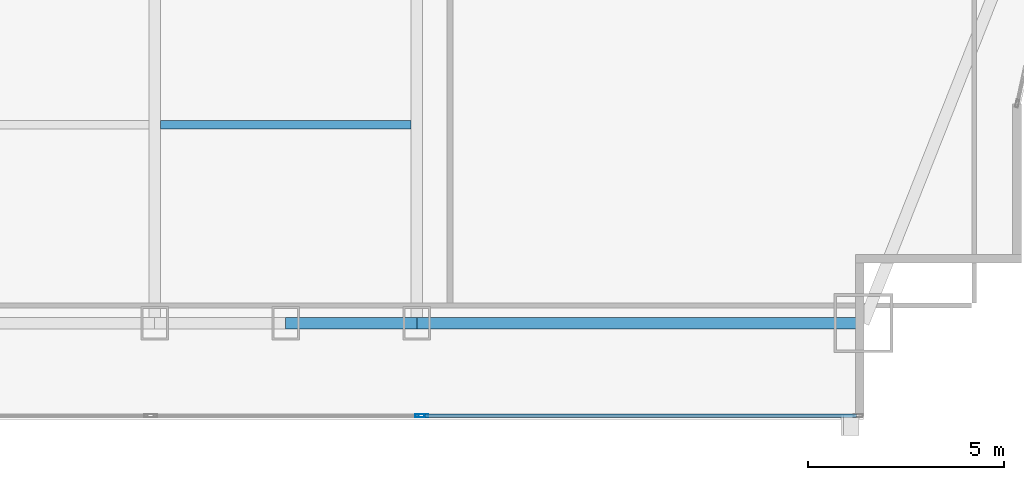
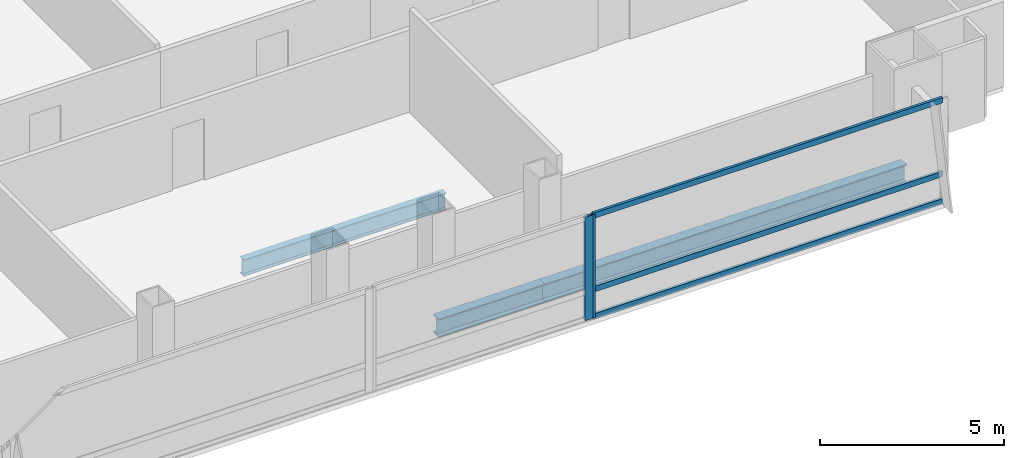
# One storey, part 15 of 32: 5 members, 3 beams, 2 elements without a shape of their own.
"""IFC4 building model written with IfcOpenShell, lengths in metres."""

from ifc_helpers import new_model, si_unit, direction, frame, origin, origin_2d, place, context, subcontext, project, spatial, hollow_rectangle, i_section, extrude, material, material_profile, profile_set, type_object, element, aggregate, save


model = new_model("IFC4")

# Units and contexts
model_context = context("Model", 3, precision=1e-05, world=origin(), true_north=direction((0.0, 1.0)))
body_context = subcontext(model_context, "Body", "Model", "MODEL_VIEW")
ifc_project = project(units=[si_unit("LENGTHUNIT", "METRE"), si_unit("AREAUNIT", "SQUARE_METRE"), si_unit("VOLUMEUNIT", "CUBIC_METRE"), si_unit("PLANEANGLEUNIT", "RADIAN"), si_unit("MASSUNIT", "GRAM", prefix="KILO")], contexts=[model_context])

# Site, building, storey
site_placement = place(None, origin())
site = spatial("IfcSite", under=ifc_project, at=site_placement, CompositionType="ELEMENT")
building_placement = place(site_placement, origin())
building = spatial("IfcBuilding", under=site, at=building_placement, Name="Khoronbel Lancet Exchange", CompositionType="ELEMENT")
storey_placement = place(building_placement, frame((0.0, 0.0, 111.0)))
storey = spatial("IfcBuildingStorey", under=building, at=storey_placement, Name="L26", CompositionType="ELEMENT", Elevation=111.0)

# Beams
ifc_material_1 = material(Name="Steel S355", Category="steel")
ifc_material_profile_1 = material_profile(ifc_material_1, i_section(OverallWidth=0.2099609375, OverallDepth=0.550048828125, WebThickness=0.010986328125, FlangeThickness=0.01708984375, at=origin_2d()), Name="IPE 550")
ifc_profile_set_1 = profile_set([ifc_material_profile_1], Name="Steel S355")
beam_type_1 = type_object("IfcBeamType", Name="BM-BJ2", PredefinedType="JOIST", material=ifc_profile_set_1)
beam_1_placement = place(storey_placement, frame((48.14990234375, 15.199951171875, -0.43505859375), z_axis=(1.0, 0.0, 0.0), x_axis=(0.0, 1.0, 0.0)))
element("IfcBeam", 1, at=beam_1_placement, inside=storey, type_object=beam_type_1, Name="Level L26 secondary composite joist J05", PredefinedType="JOIST", context=body_context, shape_type="SweptSolid", body=[
    extrude(i_section(OverallWidth=0.2099609375, OverallDepth=0.550048828125, WebThickness=0.010986328125, FlangeThickness=0.01708984375, at=origin_2d()), origin(), (0.0, 0.0, 1.0), 6.375),
])
ifc_material_profile_2 = material_profile(ifc_material_1, i_section(OverallWidth=0.300048828125, OverallDepth=0.60009765625, WebThickness=0.015380859375, FlangeThickness=0.030029296875, at=origin_2d()), Name="HEB 600")
ifc_profile_set_2 = profile_set([ifc_material_profile_2], Name="Steel S355")
beam_type_2 = type_object("IfcBeamType", Name="BM-BSP2", PredefinedType="SPANDREL", material=ifc_profile_set_2)
beam_2_placement = place(storey_placement, frame((51.33740234375, 10.14990234375, -0.4599609375), z_axis=(1.0, 0.0, 0.0), x_axis=(0.0, 1.0, 0.0)))
element("IfcBeam", 2, at=beam_2_placement, inside=storey, type_object=beam_type_2, Name="Level L26 perimeter spandrel beam SP08", PredefinedType="SPANDREL", context=body_context, shape_type="SweptSolid", body=[
    extrude(i_section(OverallWidth=0.300048828125, OverallDepth=0.60009765625, WebThickness=0.015380859375, FlangeThickness=0.030029296875, at=origin_2d()), origin(), (0.0, 0.0, 1.0), 3.337646484375),
])
beam_3_placement = place(storey_placement, frame((54.675048828125, 10.14990234375, -0.4599609375), z_axis=(1.0, 0.0, 0.0), x_axis=(0.0, 1.0, 0.0)))
element("IfcBeam", 3, at=beam_3_placement, inside=storey, type_object=beam_type_2, Name="Level L26 perimeter spandrel beam SP09", PredefinedType="SPANDREL", context=body_context, shape_type="SweptSolid", body=[
    extrude(i_section(OverallWidth=0.300048828125, OverallDepth=0.60009765625, WebThickness=0.015380859375, FlangeThickness=0.030029296875, at=origin_2d()), origin(), (0.0, 0.0, 1.0), 11.375),
])

# Curtain wall, member
ifc_material_2 = material(Name="Low-E Solar Control Insulating Glass", Category="glass")
curtain_wall_type = type_object("IfcCurtainWallType", Name="CW-2", PredefinedType="NOTDEFINED", material=ifc_material_2)
curtain_wall_1_placement = place(storey_placement, origin())
curtain_wall_1 = element("IfcCurtainWall", 4, at=curtain_wall_1_placement, inside=storey, type_object=curtain_wall_type, Name="Unitised curtain wall CW-L26-SEB", PredefinedType="NOTDEFINED")
ifc_material_3 = material(Name="Bronze-Anodised Aluminium 6063-T6", Category="aluminium")
ifc_material_profile_3 = material_profile(ifc_material_3, hollow_rectangle(XDim=0.0849609375, YDim=0.239990234375, WallThickness=0.006103515625, at=origin_2d()), Name="ALU MULLION 85x240")
ifc_profile_set_3 = profile_set([ifc_material_profile_3], Name="Bronze-Anodised Aluminium 6063-T6")
member_type_1 = type_object("IfcMemberType", Name="MEM-CWM1", PredefinedType="MULLION", material=ifc_profile_set_3)
member_1_placement = place(storey_placement, frame((54.757568359375, 7.7900390625, 0.0), z_axis=(0.0, 0.0, 1.0), x_axis=(0.0, 1.0, 0.0)))
member_1 = element("IfcMember", 5, at=member_1_placement, type_object=member_type_1, Name="CW2 mullion 2", PredefinedType="MULLION", context=body_context, shape_type="SweptSolid", body=[
    extrude(hollow_rectangle(XDim=0.0849609375, YDim=0.239990234375, WallThickness=0.006103515625, at=origin_2d()), origin(), (0.0, 0.0, 1.0), 3.43994140625),
])
aggregate(curtain_wall_1, [member_1])

# Curtain wall, members
curtain_wall_2_placement = place(storey_placement, origin())
curtain_wall_2 = element("IfcCurtainWall", 6, at=curtain_wall_2_placement, inside=storey, type_object=curtain_wall_type, Name="Unitised curtain wall CW-L26-SEV", PredefinedType="NOTDEFINED")
member_2_placement = place(storey_placement, frame((54.842529296875, 7.7900390625, 0.0), z_axis=(0.0, 0.0, 1.0), x_axis=(0.0, 1.0, 0.0)))
member_2 = element("IfcMember", 7, at=member_2_placement, type_object=member_type_1, Name="CW2 mullion 1", PredefinedType="MULLION", context=body_context, shape_type="SweptSolid", body=[
    extrude(hollow_rectangle(XDim=0.0849609375, YDim=0.239990234375, WallThickness=0.006103515625, at=origin_2d()), origin(), (0.0, 0.0, 1.0), 3.43994140625),
])
ifc_material_profile_4 = material_profile(ifc_material_3, hollow_rectangle(XDim=0.0849609375, YDim=0.179931640625, WallThickness=0.0048828125, at=origin_2d()), Name="ALU TRANSOM 85x180")
ifc_profile_set_4 = profile_set([ifc_material_profile_4], Name="Bronze-Anodised Aluminium 6063-T6")
member_type_2 = type_object("IfcMemberType", Name="MEM-CWT1", PredefinedType="USERDEFINED", material=ifc_profile_set_4)
member_3_placement = place(storey_placement, frame((54.885009765625, 7.7900390625, 0.04248046875), z_axis=(1.0, 0.0, 0.0), x_axis=(0.0, 1.0, 0.0)))
member_3 = element("IfcMember", 8, at=member_3_placement, type_object=member_type_2, Name="CW2 transom 1.1", ObjectType="TRANSOM", PredefinedType="USERDEFINED", context=body_context, shape_type="SweptSolid", body=[
    extrude(hollow_rectangle(XDim=0.0849609375, YDim=0.179931640625, WallThickness=0.0048828125, at=origin_2d()), origin(), (0.0, 0.0, 1.0), 10.989990234375),
])
member_4_placement = place(storey_placement, frame((54.885009765625, 7.7900390625, 0.949951171875), z_axis=(1.0, 0.0, 0.0), x_axis=(0.0, 1.0, 0.0)))
member_4 = element("IfcMember", 9, at=member_4_placement, type_object=member_type_2, Name="CW2 transom 1.2", ObjectType="TRANSOM", PredefinedType="USERDEFINED", context=body_context, shape_type="SweptSolid", body=[
    extrude(hollow_rectangle(XDim=0.0849609375, YDim=0.179931640625, WallThickness=0.0048828125, at=origin_2d()), origin(), (0.0, 0.0, 1.0), 10.989990234375),
])
member_5_placement = place(storey_placement, frame((54.885009765625, 7.7900390625, 3.3974609375), z_axis=(1.0, 0.0, 0.0), x_axis=(0.0, 1.0, 0.0)))
member_5 = element("IfcMember", 10, at=member_5_placement, type_object=member_type_2, Name="CW2 transom 1.3", ObjectType="TRANSOM", PredefinedType="USERDEFINED", context=body_context, shape_type="SweptSolid", body=[
    extrude(hollow_rectangle(XDim=0.0849609375, YDim=0.179931640625, WallThickness=0.0048828125, at=origin_2d()), origin(), (0.0, 0.0, 1.0), 10.989990234375),
])
aggregate(curtain_wall_2, [member_2, member_3, member_4, member_5])

save(model, "model.ifc")
